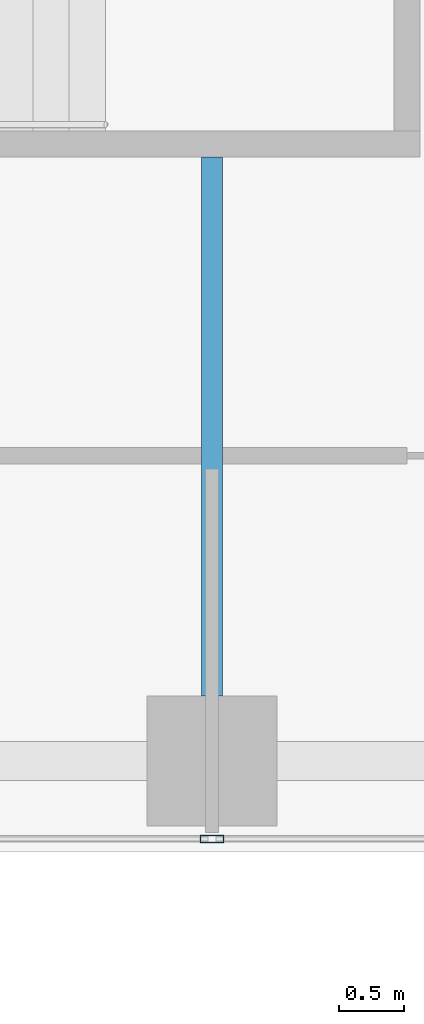
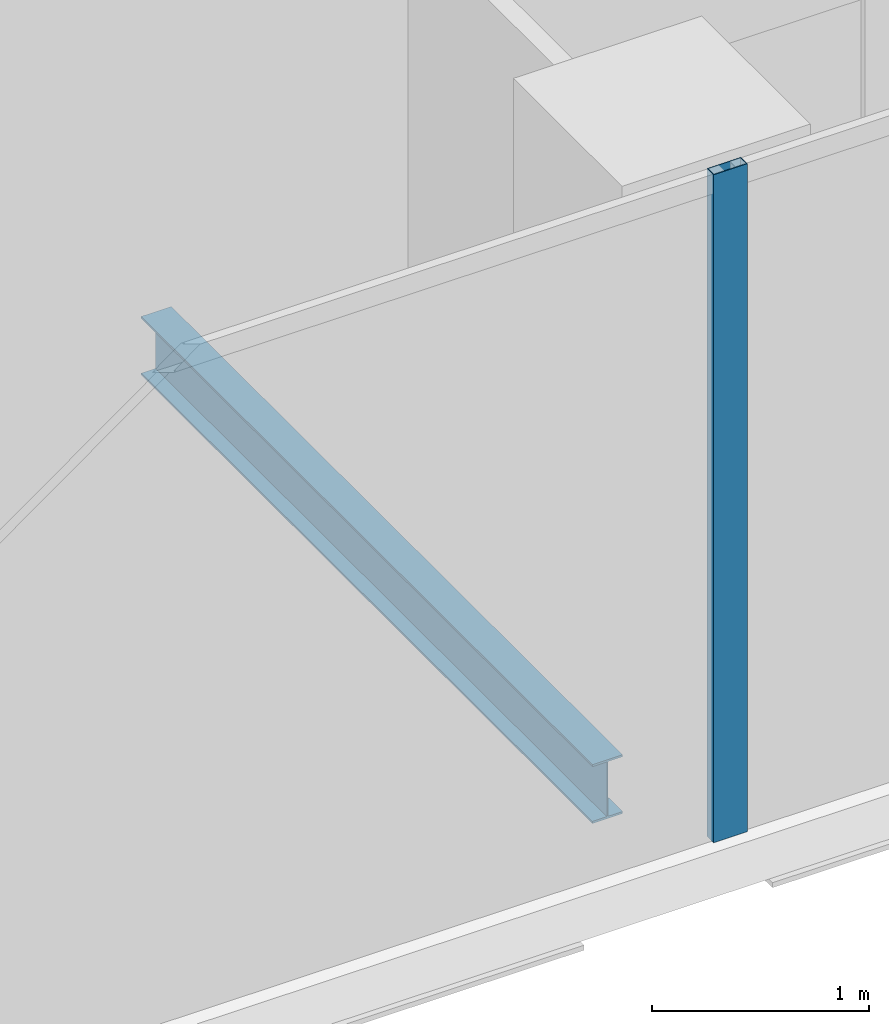
# One storey, part 6 of 38: 1 beam, 1 member, 1 element without a shape of its own.
"""IFC4 building model written with IfcOpenShell, lengths in metres."""

from ifc_helpers import new_model, si_unit, direction, frame, origin, origin_2d, place, context, subcontext, project, spatial, hollow_rectangle, i_section, extrude, source, transform, mapped, material, material_profile, profile_set, type_object, element, aggregate, save


model = new_model("IFC4")

# Units and contexts
model_context = context("Model", 3, precision=1e-05, world=origin(), true_north=direction((0.0, 1.0)))
body_context = subcontext(model_context, "Body", "Model", "MODEL_VIEW")
ifc_project = project(units=[si_unit("LENGTHUNIT", "METRE"), si_unit("AREAUNIT", "SQUARE_METRE"), si_unit("VOLUMEUNIT", "CUBIC_METRE"), si_unit("PLANEANGLEUNIT", "RADIAN"), si_unit("MASSUNIT", "GRAM", prefix="KILO")], contexts=[model_context])

# Site, building, storey
site_placement = place(None, origin())
site = spatial("IfcSite", under=ifc_project, at=site_placement, CompositionType="ELEMENT")
building_placement = place(site_placement, origin())
building = spatial("IfcBuilding", under=site, at=building_placement, Name="Khomas Fold Tower", CompositionType="ELEMENT")
storey_placement = place(building_placement, frame((0.0, 0.0, 208.699951171875)))
storey = spatial("IfcBuildingStorey", under=building, at=storey_placement, Name="L46", CompositionType="ELEMENT", Elevation=208.699951171875)

# Beam
ifc_material_1 = material(Name="Steel S355", Category="steel")
ifc_material_profile_1 = material_profile(ifc_material_1, i_section(OverallWidth=0.159912109375, OverallDepth=0.330078125, WebThickness=0.007568359375, FlangeThickness=0.011474609375, at=origin_2d()), Name="IPE 330")
ifc_profile_set_1 = profile_set([ifc_material_profile_1], Name="Steel S355")
beam_type = type_object("IfcBeamType", Name="IPE 330 beam JB1", PredefinedType="BEAM", material=ifc_profile_set_1)
shared_shape_1 = source(origin(), body_context, "Body", "SweptSolid", [
    extrude(i_section(OverallWidth=0.159912109375, OverallDepth=0.330078125, WebThickness=0.007568359375, FlangeThickness=0.011474609375, at=origin_2d()), origin(), (0.0, 0.0, 1.0), 4.150146484375),
])
beam_placement = place(storey_placement, frame((19.5, 4.199951171875, -0.4150390625), z_axis=(0.0, 1.0, 0.0), x_axis=(-1.0, 0.0, 0.0)))
element("IfcBeam", 1, at=beam_placement, inside=storey, type_object=beam_type, Name="JB1", PredefinedType="BEAM", context=body_context, shape_type="MappedRepresentation", body=[
    mapped(shared_shape_1, transform((0.0, 0.0, 0.0))),
])

# Curtain wall, member
ifc_material_2 = material(Name="Aluminium framed double glazing", Category="aluminium")
curtain_wall_type = type_object("IfcCurtainWallType", Name="SK-Unitised clear-glass wall, office floors CW2", PredefinedType="NOTDEFINED", material=ifc_material_2)
curtain_wall_placement = place(storey_placement, origin())
curtain_wall = element("IfcCurtainWall", 2, at=curtain_wall_placement, inside=storey, type_object=curtain_wall_type, Name="CW2 run L46 00-0", PredefinedType="NOTDEFINED")
ifc_material_3 = material(Name="Aluminium", Category="aluminium")
ifc_material_profile_2 = material_profile(ifc_material_3, hollow_rectangle(XDim=0.06005859375, YDim=0.179931640625, WallThickness=0.00390625, at=origin_2d()), Name="SK-Unitised clear-glass wall, office floors mullion CW2-M")
ifc_profile_set_2 = profile_set([ifc_material_profile_2], Name="Aluminium")
member_type = type_object("IfcMemberType", Name="SK-Unitised clear-glass wall, office floors mullion CW2-M", PredefinedType="MULLION", material=ifc_profile_set_2)
shared_shape_2 = source(origin(), body_context, "Body", "SweptSolid", [
    extrude(hollow_rectangle(XDim=0.06005859375, YDim=0.179931640625, WallThickness=0.00390625, at=origin_2d()), origin(), (0.0, 0.0, 1.0), 3.75),
])
member_placement = place(storey_placement, frame((19.5, 3.10009765625, 0.0), z_axis=(0.0, 0.0, 1.0), x_axis=(0.0, 1.0, 0.0)))
member = element("IfcMember", 3, at=member_placement, type_object=member_type, Name="CW2 mullion 4", PredefinedType="MULLION", context=body_context, shape_type="MappedRepresentation", body=[
    mapped(shared_shape_2, transform((0.0, 0.0, 0.0))),
])
aggregate(curtain_wall, [member])

save(model, "model.ifc")
